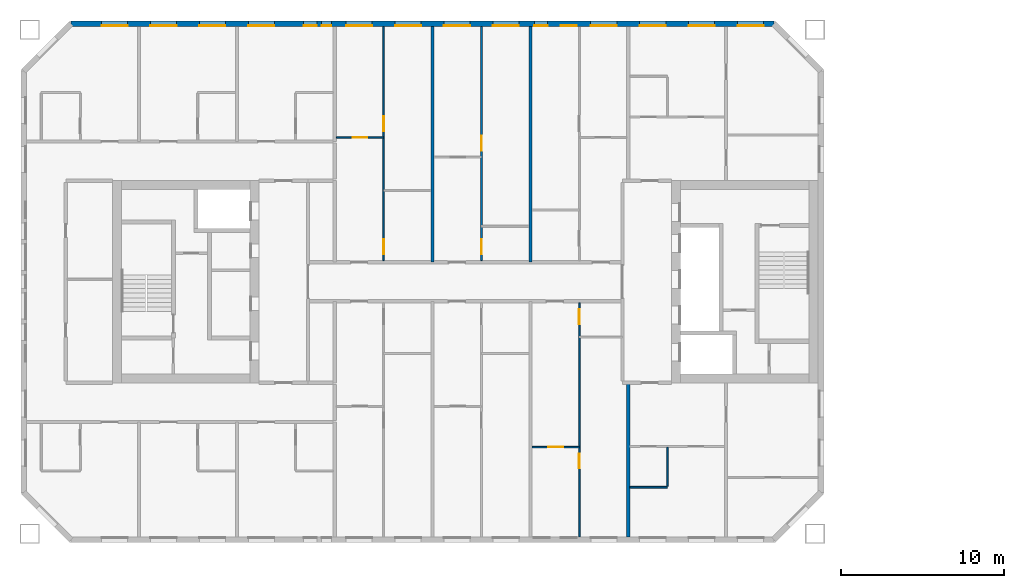
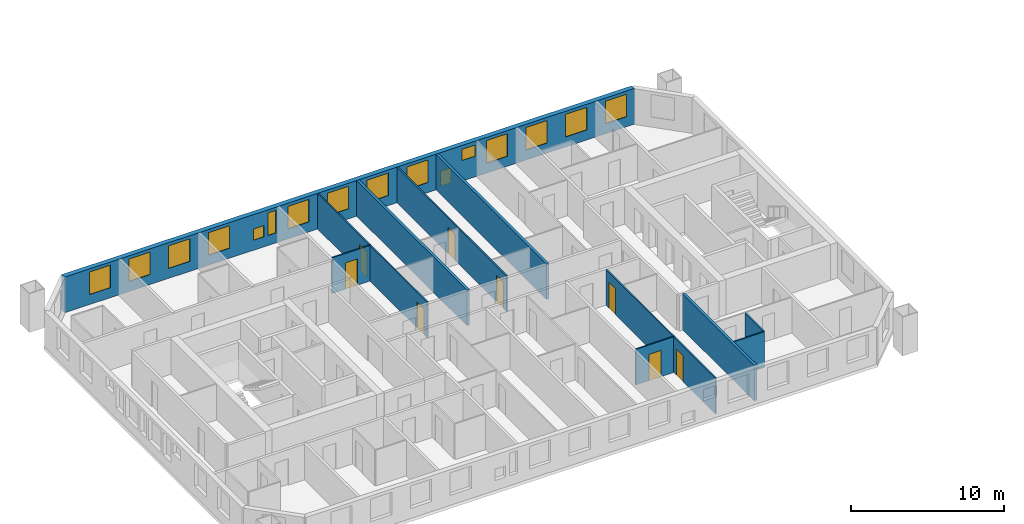
# One storey, part 6 of 16: 16 windows, 11 walls, 8 doors, 24 openings.
"""IFC4 building model written with IfcOpenShell, lengths in metres."""

import ifcopenshell
import ifcopenshell.guid

model = None  # the IFC model being written
_history = None  # IfcOwnerHistory: only IFC2X3 demands one
_inside = {}  # id of a spatial element -> (the spatial element, [elements in it])
_under = {}  # id of a project, library or spatial element -> (it, [spatial elements below it])
_declared = {}  # id of a project -> (the project, [libraries it declares])
_typed = {}  # id of a type object -> (the type object, [elements of that type])
_made_of = {}  # id of a material, layer set ... -> (it, [elements and type objects made of it])


def new_model(schema):
    """Start an empty IFC model of exactly this schema.

    Asked for "IFC4X3", IfcOpenShell would pick the latest addendum, in which some entities
    have other attributes; the version numbers below select the first issue.
    IFC2X3 requires an IfcOwnerHistory on every rooted entity: one is made here for all.
    """
    global model, _history
    if schema == "IFC4X3":
        model = ifcopenshell.file(schema_version=(4, 3, 0, 0))
    else:
        model = ifcopenshell.file(schema=schema)
    _inside.clear()
    _under.clear()
    _declared.clear()
    _typed.clear()
    _made_of.clear()
    _history = None
    if model.schema == "IFC2X3":
        org = make("IfcOrganization", Name="unknown")
        user = make(
            "IfcPersonAndOrganization",
            ThePerson=make("IfcPerson", FamilyName="unknown"),
            TheOrganization=org,
        )
        app = make(
            "IfcApplication",
            ApplicationDeveloper=org,
            Version="unknown",
            ApplicationFullName="unknown",
            ApplicationIdentifier="unknown",
        )
        _history = make(
            "IfcOwnerHistory",
            OwningUser=user,
            OwningApplication=app,
            ChangeAction="ADDED",
            CreationDate=0,
        )
    return model


def make(cls, **values):
    """One entity of the class cls with the attributes given. An attribute that is None is left unset."""
    return model.create_entity(
        cls, **{name: value for name, value in values.items() if value is not None}
    )


def rooted(cls, **values):
    """An entity with a GlobalId (a new one), such as an element, a storey or a relation."""
    return make(cls, GlobalId=ifcopenshell.guid.new(), OwnerHistory=_history, **values)


def si_unit(unit_type, name, prefix=None):
    """IfcSIUnit, for example si_unit("LENGTHUNIT", "METRE", prefix="MILLI")."""
    return make("IfcSIUnit", UnitType=unit_type, Prefix=prefix, Name=name)


def assignment(units):
    """IfcUnitAssignment: the units of a project."""
    return None if units is None else make("IfcUnitAssignment", Units=units)


def point(xyz):
    """IfcCartesianPoint."""
    return None if xyz is None else make("IfcCartesianPoint", Coordinates=xyz)


def direction(xyz):
    """IfcDirection."""
    return None if xyz is None else make("IfcDirection", DirectionRatios=xyz)


def frame(location, z_axis=None, x_axis=None):
    """IfcAxis2Placement3D, a coordinate frame: its origin and axes. An axis left out is left unset."""
    return make(
        "IfcAxis2Placement3D",
        Location=point(location),
        Axis=direction(z_axis),
        RefDirection=direction(x_axis),
    )


def frame_2d(location, x_axis=None):
    """IfcAxis2Placement2D, a coordinate frame in the plane: its origin and x axis."""
    return make(
        "IfcAxis2Placement2D", Location=point(location), RefDirection=direction(x_axis)
    )


def origin():
    """The frame at (0, 0, 0) with its axes left unset."""
    return frame((0.0, 0.0, 0.0))


def place(relative_to, where):
    """IfcLocalPlacement: puts the frame where relative to a parent placement (None: the world)."""
    return make(
        "IfcLocalPlacement", PlacementRelTo=relative_to, RelativePlacement=where
    )


def context(
    kind, dimensions, precision=None, world=None, true_north=None, identifier=None
):
    """IfcGeometricRepresentationContext, for example the 3D "Model" context."""
    return make(
        "IfcGeometricRepresentationContext",
        ContextIdentifier=identifier,
        ContextType=kind,
        CoordinateSpaceDimension=dimensions,
        Precision=precision,
        WorldCoordinateSystem=world,
        TrueNorth=true_north,
    )


def subcontext(parent, identifier, kind, view, scale=None):
    """IfcGeometricRepresentationSubContext, for example "Body" below "Model"."""
    return make(
        "IfcGeometricRepresentationSubContext",
        ContextIdentifier=identifier,
        ContextType=kind,
        ParentContext=parent,
        TargetScale=scale,
        TargetView=view,
    )


def project(units=None, contexts=None):
    """IfcProject with its units and contexts."""
    return rooted(
        "IfcProject",
        Name="project",
        RepresentationContexts=contexts,
        UnitsInContext=assignment(units),
    )


def spatial(cls, under=None, at=None, **own):
    """A site, building, storey or space (cls), placed at a placement, below another one or the project."""
    s = rooted(cls, ObjectPlacement=at, **own)
    if under is not None:
        _under.setdefault(under.id(), (under, []))[1].append(s)
    return s


def profile(cls, at=None, kind="AREA", **sizes):
    """A parametric profile (cls). Its sizes go by their IFC names, for example OverallWidth=200.0."""
    return make(cls, ProfileType=kind, Position=at, **sizes)


def rectangle(**sizes):
    """IfcRectangleProfileDef."""
    return profile("IfcRectangleProfileDef", **sizes)


def extrude(swept, where, along, depth):
    """IfcExtrudedAreaSolid: the profile swept, set in the frame where, extruded along a direction by depth."""
    return make(
        "IfcExtrudedAreaSolid",
        SweptArea=swept,
        Position=where,
        ExtrudedDirection=direction(along),
        Depth=depth,
    )


def shape(context_of_items, identifier, shape_type, items):
    """IfcShapeRepresentation: the items that make up one representation, for example the "Body"."""
    return make(
        "IfcShapeRepresentation",
        ContextOfItems=context_of_items,
        RepresentationIdentifier=identifier,
        RepresentationType=shape_type,
        Items=items,
    )


def material(Name=None, Category=None):
    """IfcMaterial."""
    return make("IfcMaterial", Name=Name, Category=Category)


def layer(
    of_material, thickness, ventilated=None, Name=None, Category=None, Priority=None
):
    """IfcMaterialLayer: one layer of a wall or slab, of a material (None: an air gap)."""
    return make(
        "IfcMaterialLayer",
        Material=of_material,
        LayerThickness=thickness,
        IsVentilated=ventilated,
        Name=Name,
        Category=Category,
        Priority=Priority,
    )


def layer_set(layers, Name=None):
    """IfcMaterialLayerSet."""
    return make("IfcMaterialLayerSet", MaterialLayers=layers, LayerSetName=Name)


def made_of(thing, what):
    """Note that an element or type object is made of a material, layer set ...; save() writes the relation."""
    if what is not None:
        _made_of.setdefault(what.id(), (what, []))[1].append(thing)
    return thing


def type_object(cls, material=None, **own):
    """A type object (cls), such as IfcWallType, which elements share."""
    return made_of(rooted(cls, **own), material)


def element(
    cls,
    number,
    at=None,
    inside=None,
    cuts=None,
    type_object=None,
    material=None,
    context=None,
    identifier="Body",
    shape_type=None,
    held_by="IfcProductDefinitionShape",
    body=None,
    shapes=None,
    **own,
):
    """One element of the class cls, such as IfcWall. Its Tag is "e" and its number.

    at: its placement. inside: the storey or other place that contains it. cuts: it is an
    opening in that element (IfcRelVoidsElement). A single representation is given by context,
    identifier, shape_type and body (its items); several are given by shapes. held_by: the class
    of the entity that holds the representations. save() writes the other relations.
    """
    e = rooted(cls, Tag="e%d" % number, ObjectPlacement=at, **own)
    if body is not None:
        shapes = [shape(context, identifier, shape_type, body)]
    if shapes is not None:
        e.Representation = make(held_by, Representations=shapes)
    if inside is not None:
        _inside.setdefault(inside.id(), (inside, []))[1].append(e)
    if cuts is not None:
        rooted(
            "IfcRelVoidsElement", RelatingBuildingElement=cuts, RelatedOpeningElement=e
        )
    if type_object is not None:
        _typed.setdefault(type_object.id(), (type_object, []))[1].append(e)
    return made_of(e, material)


def fill(opening, filler):
    """IfcRelFillsElement: the door or window that sits in an opening."""
    return rooted(
        "IfcRelFillsElement",
        RelatingOpeningElement=opening,
        RelatedBuildingElement=filler,
    )


def aggregate(whole, parts):
    """IfcRelAggregates: a whole, such as a stair, and the parts it consists of."""
    return rooted("IfcRelAggregates", RelatingObject=whole, RelatedObjects=parts)


def save(model, path):
    """Write the relations noted so far, then the file.

    IfcRelAggregates (storeys below a building ...), IfcRelContainedInSpatialStructure (elements
    in a storey), IfcRelDefinesByType, IfcRelAssociatesMaterial and IfcRelDeclares: one each for
    every whole, place, type object, material and project.
    """
    for whole, parts in _under.values():
        aggregate(whole, parts)
    for where, things in _inside.values():
        rooted(
            "IfcRelContainedInSpatialStructure",
            RelatedElements=things,
            RelatingStructure=where,
        )
    for kind, things in _typed.values():
        rooted("IfcRelDefinesByType", RelatedObjects=things, RelatingType=kind)
    for what, things in _made_of.values():
        rooted("IfcRelAssociatesMaterial", RelatedObjects=things, RelatingMaterial=what)
    for by, libraries in _declared.values():
        rooted("IfcRelDeclares", RelatingContext=by, RelatedDefinitions=libraries)
    model.write(path)


model = new_model("IFC4")

# Units and contexts
model_context = context("Model", 3, precision=1e-05, world=origin(), true_north=direction((0.0, 1.0)))
body_context = subcontext(model_context, "Body", "Model", "MODEL_VIEW")
ifc_project = project(units=[si_unit("LENGTHUNIT", "METRE"), si_unit("AREAUNIT", "SQUARE_METRE"), si_unit("VOLUMEUNIT", "CUBIC_METRE"), si_unit("PLANEANGLEUNIT", "RADIAN"), si_unit("MASSUNIT", "GRAM", prefix="KILO")], contexts=[model_context])

# Site, building, storey
site_placement = place(None, origin())
site = spatial("IfcSite", under=ifc_project, at=site_placement, CompositionType="ELEMENT")
building_placement = place(site_placement, origin())
building = spatial("IfcBuilding", under=site, at=building_placement, Name="Tuart Gate Housing", CompositionType="ELEMENT")
storey_placement = place(building_placement, frame((0.0, 0.0, 133.0)))
storey = spatial("IfcBuildingStorey", under=building, at=storey_placement, Name="L37", CompositionType="ELEMENT", Elevation=133.0)

# Wall, openings, windows
ifc_material_1 = material(Name="Brick", Category="masonry")
ifc_layer_1 = layer(ifc_material_1, 0.360107421875)
ifc_layer_set_1 = layer_set([ifc_layer_1], Name="Brick pier and spandrel wall 360")
wall_type_1 = type_object("IfcWallType", Name="Brick pier and spandrel wall 360", PredefinedType="STANDARD", material=ifc_layer_set_1)
wall_1_placement = place(storey_placement, frame((72.92529296875, 85.820068359375, 0.0), z_axis=(0.0, 0.0, 1.0), x_axis=(-1.0, 0.0, 0.0)))
wall_1 = element("IfcWall", 1, at=wall_1_placement, inside=storey, type_object=wall_type_1, Name="External wall A-N L37", PredefinedType="STANDARD", context=body_context, shape_type="SweptSolid", body=[
    extrude(rectangle(XDim=43.100830078125, YDim=0.360107421875, at=frame_2d((21.55029296875, 0.0))), origin(), (0.0, 0.0, 1.0), 2.85009765625),
])
opening_1_placement = place(wall_1_placement, frame((0.62548828125, 0.0, 0.800048828125)))
opening_1 = element("IfcOpeningElement", 2, at=opening_1_placement, cuts=wall_1, Name="Opening W1", PredefinedType="OPENING", context=body_context, shape_type="SweptSolid", body=[
    extrude(rectangle(XDim=1.60009765625, YDim=1.800048828125, at=frame_2d((0.800048828125, 0.89990234375))), frame((0.0, 0.18994140625, 0.0), z_axis=(0.0, -1.0, 0.0), x_axis=(1.0, 0.0, 0.0)), (0.0, 0.0, 1.0), 0.380126953125),
])
opening_2_placement = place(wall_1_placement, frame((3.62548828125, 0.0, 0.800048828125)))
opening_2 = element("IfcOpeningElement", 3, at=opening_2_placement, cuts=wall_1, Name="Opening W1", PredefinedType="OPENING", context=body_context, shape_type="SweptSolid", body=[
    extrude(rectangle(XDim=1.60009765625, YDim=1.800048828125, at=frame_2d((0.800048828125, 0.89990234375))), frame((0.0, 0.18994140625, 0.0), z_axis=(0.0, -1.0, 0.0), x_axis=(1.0, 0.0, 0.0)), (0.0, 0.0, 1.0), 0.380126953125),
])
opening_3_placement = place(wall_1_placement, frame((6.62548828125, 0.0, 0.800048828125)))
opening_3 = element("IfcOpeningElement", 4, at=opening_3_placement, cuts=wall_1, Name="Opening W1", PredefinedType="OPENING", context=body_context, shape_type="SweptSolid", body=[
    extrude(rectangle(XDim=1.60009765625, YDim=1.800048828125, at=frame_2d((0.800048828125, 0.89990234375))), frame((0.0, 0.18994140625, 0.0), z_axis=(0.0, -1.0, 0.0), x_axis=(1.0, 0.0, 0.0)), (0.0, 0.0, 1.0), 0.380126953125),
])
opening_4_placement = place(wall_1_placement, frame((9.62548828125, 0.0, 0.800048828125)))
opening_4 = element("IfcOpeningElement", 5, at=opening_4_placement, cuts=wall_1, Name="Opening W1", PredefinedType="OPENING", context=body_context, shape_type="SweptSolid", body=[
    extrude(rectangle(XDim=1.60009765625, YDim=1.800048828125, at=frame_2d((0.800048828125, 0.89990234375))), frame((0.0, 0.18994140625, 0.0), z_axis=(0.0, -1.0, 0.0), x_axis=(1.0, 0.0, 0.0)), (0.0, 0.0, 1.0), 0.380126953125),
])
opening_5_placement = place(wall_1_placement, frame((12.075439453125, 0.0, 1.64990234375)))
opening_5 = element("IfcOpeningElement", 6, at=opening_5_placement, cuts=wall_1, Name="Opening W1U", PredefinedType="OPENING", context=body_context, shape_type="SweptSolid", body=[
    extrude(rectangle(XDim=1.0, YDim=0.89990234375, at=frame_2d((0.5, 0.449951171875))), frame((0.0, 0.18994140625, 0.0), z_axis=(0.0, -1.0, 0.0), x_axis=(1.0, 0.0, 0.0)), (0.0, 0.0, 1.0), 0.380126953125),
])
opening_6_placement = place(wall_1_placement, frame((15.62548828125, 0.0, 0.800048828125)))
opening_6 = element("IfcOpeningElement", 7, at=opening_6_placement, cuts=wall_1, Name="Opening W1", PredefinedType="OPENING", context=body_context, shape_type="SweptSolid", body=[
    extrude(rectangle(XDim=1.60009765625, YDim=1.800048828125, at=frame_2d((0.800048828125, 0.89990234375))), frame((0.0, 0.18994140625, 0.0), z_axis=(0.0, -1.0, 0.0), x_axis=(1.0, 0.0, 0.0)), (0.0, 0.0, 1.0), 0.380126953125),
])
opening_7_placement = place(wall_1_placement, frame((18.62548828125, 0.0, 0.800048828125)))
opening_7 = element("IfcOpeningElement", 8, at=opening_7_placement, cuts=wall_1, Name="Opening W1", PredefinedType="OPENING", context=body_context, shape_type="SweptSolid", body=[
    extrude(rectangle(XDim=1.60009765625, YDim=1.800048828125, at=frame_2d((0.800048828125, 0.89990234375))), frame((0.0, 0.18994140625, 0.0), z_axis=(0.0, -1.0, 0.0), x_axis=(1.0, 0.0, 0.0)), (0.0, 0.0, 1.0), 0.380126953125),
])
opening_8_placement = place(wall_1_placement, frame((21.62548828125, 0.0, 0.800048828125)))
opening_8 = element("IfcOpeningElement", 9, at=opening_8_placement, cuts=wall_1, Name="Opening W1", PredefinedType="OPENING", context=body_context, shape_type="SweptSolid", body=[
    extrude(rectangle(XDim=1.60009765625, YDim=1.800048828125, at=frame_2d((0.800048828125, 0.89990234375))), frame((0.0, 0.18994140625, 0.0), z_axis=(0.0, -1.0, 0.0), x_axis=(1.0, 0.0, 0.0)), (0.0, 0.0, 1.0), 0.380126953125),
])
opening_9_placement = place(wall_1_placement, frame((24.62548828125, 0.0, 0.800048828125)))
opening_9 = element("IfcOpeningElement", 10, at=opening_9_placement, cuts=wall_1, Name="Opening W1", PredefinedType="OPENING", context=body_context, shape_type="SweptSolid", body=[
    extrude(rectangle(XDim=1.60009765625, YDim=1.800048828125, at=frame_2d((0.800048828125, 0.89990234375))), frame((0.0, 0.18994140625, 0.0), z_axis=(0.0, -1.0, 0.0), x_axis=(1.0, 0.0, 0.0)), (0.0, 0.0, 1.0), 0.380126953125),
])
opening_10_placement = place(wall_1_placement, frame((27.12548828125, 0.0, 0.800048828125)))
opening_10 = element("IfcOpeningElement", 11, at=opening_10_placement, cuts=wall_1, Name="Opening W1E", PredefinedType="OPENING", context=body_context, shape_type="SweptSolid", body=[
    extrude(rectangle(XDim=0.60009765625, YDim=1.800048828125, at=frame_2d((0.300048828125, 0.89990234375))), frame((0.0, 0.18994140625, 0.0), z_axis=(0.0, -1.0, 0.0), x_axis=(1.0, 0.0, 0.0)), (0.0, 0.0, 1.0), 0.380126953125),
])
opening_11_placement = place(wall_1_placement, frame((30.62548828125, 0.0, 0.800048828125)))
opening_11 = element("IfcOpeningElement", 12, at=opening_11_placement, cuts=wall_1, Name="Opening W1", PredefinedType="OPENING", context=body_context, shape_type="SweptSolid", body=[
    extrude(rectangle(XDim=1.60009765625, YDim=1.800048828125, at=frame_2d((0.800048828125, 0.89990234375))), frame((0.0, 0.18994140625, 0.0), z_axis=(0.0, -1.0, 0.0), x_axis=(1.0, 0.0, 0.0)), (0.0, 0.0, 1.0), 0.380126953125),
])
opening_12_placement = place(wall_1_placement, frame((33.62548828125, 0.0, 0.800048828125)))
opening_12 = element("IfcOpeningElement", 13, at=opening_12_placement, cuts=wall_1, Name="Opening W1", PredefinedType="OPENING", context=body_context, shape_type="SweptSolid", body=[
    extrude(rectangle(XDim=1.60009765625, YDim=1.800048828125, at=frame_2d((0.800048828125, 0.89990234375))), frame((0.0, 0.18994140625, 0.0), z_axis=(0.0, -1.0, 0.0), x_axis=(1.0, 0.0, 0.0)), (0.0, 0.0, 1.0), 0.380126953125),
])
opening_13_placement = place(wall_1_placement, frame((36.62548828125, 0.0, 0.800048828125)))
opening_13 = element("IfcOpeningElement", 14, at=opening_13_placement, cuts=wall_1, Name="Opening W1", PredefinedType="OPENING", context=body_context, shape_type="SweptSolid", body=[
    extrude(rectangle(XDim=1.60009765625, YDim=1.800048828125, at=frame_2d((0.800048828125, 0.89990234375))), frame((0.0, 0.18994140625, 0.0), z_axis=(0.0, -1.0, 0.0), x_axis=(1.0, 0.0, 0.0)), (0.0, 0.0, 1.0), 0.380126953125),
])
opening_14_placement = place(wall_1_placement, frame((39.62548828125, 0.0, 0.800048828125)))
opening_14 = element("IfcOpeningElement", 15, at=opening_14_placement, cuts=wall_1, Name="Opening W1", PredefinedType="OPENING", context=body_context, shape_type="SweptSolid", body=[
    extrude(rectangle(XDim=1.60009765625, YDim=1.800048828125, at=frame_2d((0.800048828125, 0.89990234375))), frame((0.0, 0.18994140625, 0.0), z_axis=(0.0, -1.0, 0.0), x_axis=(1.0, 0.0, 0.0)), (0.0, 0.0, 1.0), 0.380126953125),
])
opening_15_placement = place(wall_1_placement, frame((13.87548828125, 0.0, 0.14990234375)))
opening_15 = element("IfcOpeningElement", 16, at=opening_15_placement, cuts=wall_1, Name="Opening W1P", PredefinedType="OPENING", context=body_context, shape_type="SweptSolid", body=[
    extrude(rectangle(XDim=0.800048828125, YDim=1.199951171875, at=frame_2d((0.39990234375, 0.60009765625))), frame((0.0, 0.18994140625, 0.0), z_axis=(0.0, -1.0, 0.0), x_axis=(1.0, 0.0, 0.0)), (0.0, 0.0, 1.0), 0.380126953125),
])
opening_16_placement = place(wall_1_placement, frame((28.025390625, 0.0, 0.800048828125)))
opening_16 = element("IfcOpeningElement", 17, at=opening_16_placement, cuts=wall_1, Name="Opening W1V", PredefinedType="OPENING", context=body_context, shape_type="SweptSolid", body=[
    extrude(rectangle(XDim=0.800048828125, YDim=0.89990234375, at=frame_2d((0.39990234375, 0.449951171875))), frame((0.0, 0.18994140625, 0.0), z_axis=(0.0, -1.0, 0.0), x_axis=(1.0, 0.0, 0.0)), (0.0, 0.0, 1.0), 0.380126953125),
])
ifc_material_2 = material(Name="Aluminium frame with clear glass", Category="aluminium")
window_type_1 = type_object("IfcWindowType", Name="Punched window 1000 x 900", PartitioningType="SINGLE_PANEL", PredefinedType="WINDOW", material=ifc_material_2)
window_1_placement = place(opening_5_placement, origin())
window_1 = element("IfcWindow", 18, at=window_1_placement, inside=storey, type_object=window_type_1, Name="Window W1U", OverallHeight=0.89990234375, OverallWidth=1.0, PartitioningType="SINGLE_PANEL", PredefinedType="WINDOW", context=body_context, shape_type="SweptSolid", body=[
    extrude(rectangle(XDim=1.0, YDim=0.89990234375, at=frame_2d((0.5, 0.449951171875))), frame((0.0, 0.150146484375, 0.0), z_axis=(0.0, -1.0, 0.0), x_axis=(1.0, 0.0, 0.0)), (0.0, 0.0, 1.0), 0.06005859375),
])
fill(opening_5, window_1)
ifc_material_3 = material(Name="Aluminium frame with clear glass", Category="aluminium")
window_type_2 = type_object("IfcWindowType", Name="Punched window 1600 x 1800", PartitioningType="SINGLE_PANEL", PredefinedType="WINDOW", material=ifc_material_3)
window_2_placement = place(opening_1_placement, origin())
window_2 = element("IfcWindow", 19, at=window_2_placement, inside=storey, type_object=window_type_2, Name="Window W1", OverallHeight=1.800048828125, OverallWidth=1.60009765625, PartitioningType="SINGLE_PANEL", PredefinedType="WINDOW", context=body_context, shape_type="SweptSolid", body=[
    extrude(rectangle(XDim=1.60009765625, YDim=1.800048828125, at=frame_2d((0.800048828125, 0.89990234375))), frame((0.0, 0.150146484375, 0.0), z_axis=(0.0, -1.0, 0.0), x_axis=(1.0, 0.0, 0.0)), (0.0, 0.0, 1.0), 0.06005859375),
])
fill(opening_1, window_2)
window_3_placement = place(opening_2_placement, origin())
window_3 = element("IfcWindow", 20, at=window_3_placement, inside=storey, type_object=window_type_2, Name="Window W1", OverallHeight=1.800048828125, OverallWidth=1.60009765625, PartitioningType="SINGLE_PANEL", PredefinedType="WINDOW", context=body_context, shape_type="SweptSolid", body=[
    extrude(rectangle(XDim=1.60009765625, YDim=1.800048828125, at=frame_2d((0.800048828125, 0.89990234375))), frame((0.0, 0.150146484375, 0.0), z_axis=(0.0, -1.0, 0.0), x_axis=(1.0, 0.0, 0.0)), (0.0, 0.0, 1.0), 0.06005859375),
])
fill(opening_2, window_3)
window_4_placement = place(opening_3_placement, origin())
window_4 = element("IfcWindow", 21, at=window_4_placement, inside=storey, type_object=window_type_2, Name="Window W1", OverallHeight=1.800048828125, OverallWidth=1.60009765625, PartitioningType="SINGLE_PANEL", PredefinedType="WINDOW", context=body_context, shape_type="SweptSolid", body=[
    extrude(rectangle(XDim=1.60009765625, YDim=1.800048828125, at=frame_2d((0.800048828125, 0.89990234375))), frame((0.0, 0.150146484375, 0.0), z_axis=(0.0, -1.0, 0.0), x_axis=(1.0, 0.0, 0.0)), (0.0, 0.0, 1.0), 0.06005859375),
])
fill(opening_3, window_4)
window_5_placement = place(opening_4_placement, origin())
window_5 = element("IfcWindow", 22, at=window_5_placement, inside=storey, type_object=window_type_2, Name="Window W1", OverallHeight=1.800048828125, OverallWidth=1.60009765625, PartitioningType="SINGLE_PANEL", PredefinedType="WINDOW", context=body_context, shape_type="SweptSolid", body=[
    extrude(rectangle(XDim=1.60009765625, YDim=1.800048828125, at=frame_2d((0.800048828125, 0.89990234375))), frame((0.0, 0.150146484375, 0.0), z_axis=(0.0, -1.0, 0.0), x_axis=(1.0, 0.0, 0.0)), (0.0, 0.0, 1.0), 0.06005859375),
])
fill(opening_4, window_5)
window_6_placement = place(opening_6_placement, origin())
window_6 = element("IfcWindow", 23, at=window_6_placement, inside=storey, type_object=window_type_2, Name="Window W1", OverallHeight=1.800048828125, OverallWidth=1.60009765625, PartitioningType="SINGLE_PANEL", PredefinedType="WINDOW", context=body_context, shape_type="SweptSolid", body=[
    extrude(rectangle(XDim=1.60009765625, YDim=1.800048828125, at=frame_2d((0.800048828125, 0.89990234375))), frame((0.0, 0.150146484375, 0.0), z_axis=(0.0, -1.0, 0.0), x_axis=(1.0, 0.0, 0.0)), (0.0, 0.0, 1.0), 0.06005859375),
])
fill(opening_6, window_6)
window_7_placement = place(opening_7_placement, origin())
window_7 = element("IfcWindow", 24, at=window_7_placement, inside=storey, type_object=window_type_2, Name="Window W1", OverallHeight=1.800048828125, OverallWidth=1.60009765625, PartitioningType="SINGLE_PANEL", PredefinedType="WINDOW", context=body_context, shape_type="SweptSolid", body=[
    extrude(rectangle(XDim=1.60009765625, YDim=1.800048828125, at=frame_2d((0.800048828125, 0.89990234375))), frame((0.0, 0.150146484375, 0.0), z_axis=(0.0, -1.0, 0.0), x_axis=(1.0, 0.0, 0.0)), (0.0, 0.0, 1.0), 0.06005859375),
])
fill(opening_7, window_7)
window_8_placement = place(opening_8_placement, origin())
window_8 = element("IfcWindow", 25, at=window_8_placement, inside=storey, type_object=window_type_2, Name="Window W1", OverallHeight=1.800048828125, OverallWidth=1.60009765625, PartitioningType="SINGLE_PANEL", PredefinedType="WINDOW", context=body_context, shape_type="SweptSolid", body=[
    extrude(rectangle(XDim=1.60009765625, YDim=1.800048828125, at=frame_2d((0.800048828125, 0.89990234375))), frame((0.0, 0.150146484375, 0.0), z_axis=(0.0, -1.0, 0.0), x_axis=(1.0, 0.0, 0.0)), (0.0, 0.0, 1.0), 0.06005859375),
])
fill(opening_8, window_8)
window_9_placement = place(opening_9_placement, origin())
window_9 = element("IfcWindow", 26, at=window_9_placement, inside=storey, type_object=window_type_2, Name="Window W1", OverallHeight=1.800048828125, OverallWidth=1.60009765625, PartitioningType="SINGLE_PANEL", PredefinedType="WINDOW", context=body_context, shape_type="SweptSolid", body=[
    extrude(rectangle(XDim=1.60009765625, YDim=1.800048828125, at=frame_2d((0.800048828125, 0.89990234375))), frame((0.0, 0.150146484375, 0.0), z_axis=(0.0, -1.0, 0.0), x_axis=(1.0, 0.0, 0.0)), (0.0, 0.0, 1.0), 0.06005859375),
])
fill(opening_9, window_9)
window_10_placement = place(opening_11_placement, origin())
window_10 = element("IfcWindow", 27, at=window_10_placement, inside=storey, type_object=window_type_2, Name="Window W1", OverallHeight=1.800048828125, OverallWidth=1.60009765625, PartitioningType="SINGLE_PANEL", PredefinedType="WINDOW", context=body_context, shape_type="SweptSolid", body=[
    extrude(rectangle(XDim=1.60009765625, YDim=1.800048828125, at=frame_2d((0.800048828125, 0.89990234375))), frame((0.0, 0.150146484375, 0.0), z_axis=(0.0, -1.0, 0.0), x_axis=(1.0, 0.0, 0.0)), (0.0, 0.0, 1.0), 0.06005859375),
])
fill(opening_11, window_10)
window_11_placement = place(opening_12_placement, origin())
window_11 = element("IfcWindow", 28, at=window_11_placement, inside=storey, type_object=window_type_2, Name="Window W1", OverallHeight=1.800048828125, OverallWidth=1.60009765625, PartitioningType="SINGLE_PANEL", PredefinedType="WINDOW", context=body_context, shape_type="SweptSolid", body=[
    extrude(rectangle(XDim=1.60009765625, YDim=1.800048828125, at=frame_2d((0.800048828125, 0.89990234375))), frame((0.0, 0.150146484375, 0.0), z_axis=(0.0, -1.0, 0.0), x_axis=(1.0, 0.0, 0.0)), (0.0, 0.0, 1.0), 0.06005859375),
])
fill(opening_12, window_11)
window_12_placement = place(opening_13_placement, origin())
window_12 = element("IfcWindow", 29, at=window_12_placement, inside=storey, type_object=window_type_2, Name="Window W1", OverallHeight=1.800048828125, OverallWidth=1.60009765625, PartitioningType="SINGLE_PANEL", PredefinedType="WINDOW", context=body_context, shape_type="SweptSolid", body=[
    extrude(rectangle(XDim=1.60009765625, YDim=1.800048828125, at=frame_2d((0.800048828125, 0.89990234375))), frame((0.0, 0.150146484375, 0.0), z_axis=(0.0, -1.0, 0.0), x_axis=(1.0, 0.0, 0.0)), (0.0, 0.0, 1.0), 0.06005859375),
])
fill(opening_13, window_12)
window_13_placement = place(opening_14_placement, origin())
window_13 = element("IfcWindow", 30, at=window_13_placement, inside=storey, type_object=window_type_2, Name="Window W1", OverallHeight=1.800048828125, OverallWidth=1.60009765625, PartitioningType="SINGLE_PANEL", PredefinedType="WINDOW", context=body_context, shape_type="SweptSolid", body=[
    extrude(rectangle(XDim=1.60009765625, YDim=1.800048828125, at=frame_2d((0.800048828125, 0.89990234375))), frame((0.0, 0.150146484375, 0.0), z_axis=(0.0, -1.0, 0.0), x_axis=(1.0, 0.0, 0.0)), (0.0, 0.0, 1.0), 0.06005859375),
])
fill(opening_14, window_13)
ifc_material_4 = material(Name="Aluminium frame with clear glass", Category="aluminium")
window_type_3 = type_object("IfcWindowType", Name="Punched window 600 x 1800", PartitioningType="SINGLE_PANEL", PredefinedType="WINDOW", material=ifc_material_4)
window_14_placement = place(opening_10_placement, origin())
window_14 = element("IfcWindow", 31, at=window_14_placement, inside=storey, type_object=window_type_3, Name="Window W1E", OverallHeight=1.800048828125, OverallWidth=0.60009765625, PartitioningType="SINGLE_PANEL", PredefinedType="WINDOW", context=body_context, shape_type="SweptSolid", body=[
    extrude(rectangle(XDim=0.60009765625, YDim=1.800048828125, at=frame_2d((0.300048828125, 0.89990234375))), frame((0.0, 0.150146484375, 0.0), z_axis=(0.0, -1.0, 0.0), x_axis=(1.0, 0.0, 0.0)), (0.0, 0.0, 1.0), 0.06005859375),
])
fill(opening_10, window_14)
ifc_material_5 = material(Name="Aluminium frame with clear glass", Category="aluminium")
window_type_4 = type_object("IfcWindowType", Name="Punched window 800 x 1200", PartitioningType="SINGLE_PANEL", PredefinedType="WINDOW", material=ifc_material_5)
window_15_placement = place(opening_15_placement, origin())
window_15 = element("IfcWindow", 32, at=window_15_placement, inside=storey, type_object=window_type_4, Name="Window W1P", OverallHeight=1.199951171875, OverallWidth=0.800048828125, PartitioningType="SINGLE_PANEL", PredefinedType="WINDOW", context=body_context, shape_type="SweptSolid", body=[
    extrude(rectangle(XDim=0.800048828125, YDim=1.199951171875, at=frame_2d((0.39990234375, 0.60009765625))), frame((0.0, 0.150146484375, 0.0), z_axis=(0.0, -1.0, 0.0), x_axis=(1.0, 0.0, 0.0)), (0.0, 0.0, 1.0), 0.06005859375),
])
fill(opening_15, window_15)
ifc_material_6 = material(Name="Aluminium frame with clear glass", Category="aluminium")
window_type_5 = type_object("IfcWindowType", Name="Punched window 800 x 900", PartitioningType="SINGLE_PANEL", PredefinedType="WINDOW", material=ifc_material_6)
window_16_placement = place(opening_16_placement, origin())
window_16 = element("IfcWindow", 33, at=window_16_placement, inside=storey, type_object=window_type_5, Name="Window W1V", OverallHeight=0.89990234375, OverallWidth=0.800048828125, PartitioningType="SINGLE_PANEL", PredefinedType="WINDOW", context=body_context, shape_type="SweptSolid", body=[
    extrude(rectangle(XDim=0.800048828125, YDim=0.89990234375, at=frame_2d((0.39990234375, 0.449951171875))), frame((0.0, 0.150146484375, 0.0), z_axis=(0.0, -1.0, 0.0), x_axis=(1.0, 0.0, 0.0)), (0.0, 0.0, 1.0), 0.06005859375),
])
fill(opening_16, window_16)

# Wall
ifc_material_7 = material(Name="Gypsum board on steel studs", Category="steel")
ifc_layer_2 = layer(ifc_material_7, 0.10009765625)
ifc_layer_set_2 = layer_set([ifc_layer_2], Name="Partition 100")
wall_type_2 = type_object("IfcWallType", Name="Partition 100", PredefinedType="PARTITIONING", material=ifc_layer_set_2)
wall_2_placement = place(storey_placement, frame((64.10009765625, 57.39990234375, 0.0), z_axis=(0.0, 0.0, 1.0), x_axis=(1.0, 0.0, 0.0)))
element("IfcWall", 34, at=wall_2_placement, inside=storey, type_object=wall_type_2, Name="Partition 100", PredefinedType="PARTITIONING", context=body_context, shape_type="SweptSolid", body=[
    extrude(rectangle(XDim=2.2998046875, YDim=0.10009765625, at=frame_2d((1.14990234375, 0.0))), origin(), (0.0, 0.0, 1.0), 2.85009765625),
])

# Wall, opening, door
wall_3_placement = place(storey_placement, frame((58.10009765625, 59.860107421875, 0.0), z_axis=(0.0, 0.0, 1.0), x_axis=(1.0, 0.0, 0.0)))
wall_3 = element("IfcWall", 35, at=wall_3_placement, inside=storey, type_object=wall_type_2, Name="Partition 100", PredefinedType="PARTITIONING", context=body_context, shape_type="SweptSolid", body=[
    extrude(rectangle(XDim=2.89990234375, YDim=0.10009765625, at=frame_2d((1.449951171875, 0.0))), origin(), (0.0, 0.0, 1.0), 2.85009765625),
])
opening_17_placement = place(wall_3_placement, frame((1.0, 0.0, 0.0)))
opening_17 = element("IfcOpeningElement", 36, at=opening_17_placement, cuts=wall_3, Name="Opening D1461", PredefinedType="OPENING", context=body_context, shape_type="SweptSolid", body=[
    extrude(rectangle(XDim=0.89990234375, YDim=2.10009765625, at=frame_2d((0.449951171875, 1.050048828125))), frame((0.0, 0.06005859375, 0.0), z_axis=(0.0, -1.0, 0.0), x_axis=(1.0, 0.0, 0.0)), (0.0, 0.0, 1.0), 0.1201171875),
])
ifc_material_8 = material(Name="Timber door leaf in steel frame", Category="steel")
door_type_1 = type_object("IfcDoorType", Name="Internal door 900 RH", OperationType="SINGLE_SWING_RIGHT", PredefinedType="DOOR", material=ifc_material_8)
door_1_placement = place(opening_17_placement, origin())
door_1 = element("IfcDoor", 37, at=door_1_placement, inside=storey, type_object=door_type_1, Name="Internal door", OperationType="SINGLE_SWING_RIGHT", OverallHeight=2.10009765625, OverallWidth=0.89990234375, PredefinedType="DOOR", context=body_context, shape_type="SweptSolid", body=[
    extrude(rectangle(XDim=0.89990234375, YDim=2.10009765625, at=frame_2d((0.449951171875, 1.050048828125))), frame((0.0, 0.02490234375, 0.0), z_axis=(0.0, -1.0, 0.0), x_axis=(1.0, 0.0, 0.0)), (0.0, 0.0, 1.0), 0.050048828125),
])
fill(opening_17, door_1)

wall_4_placement = place(storey_placement, frame((46.10009765625, 78.840087890625, 0.0), z_axis=(0.0, 0.0, 1.0), x_axis=(1.0, 0.0, 0.0)))
wall_4 = element("IfcWall", 38, at=wall_4_placement, inside=storey, type_object=wall_type_2, Name="Partition 100", PredefinedType="PARTITIONING", context=body_context, shape_type="SweptSolid", body=[
    extrude(rectangle(XDim=2.89990234375, YDim=0.10009765625, at=frame_2d((1.449951171875, 0.0))), origin(), (0.0, 0.0, 1.0), 2.85009765625),
])
opening_18_placement = place(wall_4_placement, frame((1.0, 0.0, 0.0)))
opening_18 = element("IfcOpeningElement", 39, at=opening_18_placement, cuts=wall_4, Name="Opening D1409", PredefinedType="OPENING", context=body_context, shape_type="SweptSolid", body=[
    extrude(rectangle(XDim=0.89990234375, YDim=2.10009765625, at=frame_2d((0.449951171875, 1.050048828125))), frame((0.0, 0.06005859375, 0.0), z_axis=(0.0, -1.0, 0.0), x_axis=(1.0, 0.0, 0.0)), (0.0, 0.0, 1.0), 0.1201171875),
])
ifc_material_9 = material(Name="Timber door leaf in steel frame", Category="steel")
door_type_2 = type_object("IfcDoorType", Name="Internal door 900", OperationType="SINGLE_SWING_LEFT", PredefinedType="DOOR", material=ifc_material_9)
door_2_placement = place(opening_18_placement, frame((0.89990234375, 0.0, 0.0), z_axis=(0.0, 0.0, 1.0), x_axis=(-1.0, 0.0, 0.0)))
door_2 = element("IfcDoor", 40, at=door_2_placement, inside=storey, type_object=door_type_2, Name="Internal door", OperationType="SINGLE_SWING_LEFT", OverallHeight=2.10009765625, OverallWidth=0.89990234375, PredefinedType="DOOR", context=body_context, shape_type="SweptSolid", body=[
    extrude(rectangle(XDim=0.89990234375, YDim=2.10009765625, at=frame_2d((0.449951171875, 1.050048828125))), frame((0.0, 0.025146484375, 0.0), z_axis=(0.0, -1.0, 0.0), x_axis=(1.0, 0.0, 0.0)), (0.0, 0.0, 1.0), 0.050048828125),
])
fill(opening_18, door_2)

# Wall, openings, doors
wall_5_placement = place(storey_placement, frame((49.0, 71.300048828125, 0.0), z_axis=(0.0, 0.0, 1.0), x_axis=(0.0, 1.0, 0.0)))
wall_5 = element("IfcWall", 41, at=wall_5_placement, inside=storey, type_object=wall_type_2, Name="Partition 100", PredefinedType="PARTITIONING", context=body_context, shape_type="SweptSolid", body=[
    extrude(rectangle(XDim=14.33984375, YDim=0.10009765625, at=frame_2d((7.169921875, 0.0))), origin(), (0.0, 0.0, 1.0), 2.85009765625),
])
opening_19_placement = place(wall_5_placement, frame((7.93994140625, 0.0, 0.0)))
opening_19 = element("IfcOpeningElement", 42, at=opening_19_placement, cuts=wall_5, Name="Opening D1415", PredefinedType="OPENING", context=body_context, shape_type="SweptSolid", body=[
    extrude(rectangle(XDim=0.89990234375, YDim=2.10009765625, at=frame_2d((0.449951171875, 1.050048828125))), frame((0.0, 0.06005859375, 0.0), z_axis=(0.0, -1.0, 0.0), x_axis=(1.0, 0.0, 0.0)), (0.0, 0.0, 1.0), 0.1201171875),
])
opening_20_placement = place(wall_5_placement, frame((0.39990234375, 0.0, 0.0)))
opening_20 = element("IfcOpeningElement", 43, at=opening_20_placement, cuts=wall_5, Name="Opening D1414", PredefinedType="OPENING", context=body_context, shape_type="SweptSolid", body=[
    extrude(rectangle(XDim=0.89990234375, YDim=2.10009765625, at=frame_2d((0.449951171875, 1.050048828125))), frame((0.0, 0.06005859375, 0.0), z_axis=(0.0, -1.0, 0.0), x_axis=(1.0, 0.0, 0.0)), (0.0, 0.0, 1.0), 0.1201171875),
])
ifc_material_10 = material(Name="Timber door leaf in steel frame", Category="steel")
door_type_3 = type_object("IfcDoorType", Name="Bathroom door 900 RH", OperationType="SINGLE_SWING_RIGHT", PredefinedType="DOOR", material=ifc_material_10)
door_3_placement = place(opening_20_placement, frame((0.89990234375, 0.0, 0.0), z_axis=(0.0, 0.0, 1.0), x_axis=(-1.0, 0.0, 0.0)))
door_3 = element("IfcDoor", 44, at=door_3_placement, inside=storey, type_object=door_type_3, Name="Bathroom door", OperationType="SINGLE_SWING_RIGHT", OverallHeight=2.10009765625, OverallWidth=0.89990234375, PredefinedType="DOOR", context=body_context, shape_type="SweptSolid", body=[
    extrude(rectangle(XDim=0.89990234375, YDim=2.10009765625, at=frame_2d((0.449951171875, 1.050048828125))), frame((0.0, 0.025146484375, 0.0), z_axis=(0.0, -1.0, 0.0), x_axis=(1.0, 0.0, 0.0)), (0.0, 0.0, 1.0), 0.050048828125),
])
fill(opening_20, door_3)
door_4_placement = place(opening_19_placement, frame((0.89990234375, 0.0, 0.0), z_axis=(0.0, 0.0, 1.0), x_axis=(-1.0, 0.0, 0.0)))
door_4 = element("IfcDoor", 45, at=door_4_placement, inside=storey, type_object=door_type_1, Name="Internal door", OperationType="SINGLE_SWING_RIGHT", OverallHeight=2.10009765625, OverallWidth=0.89990234375, PredefinedType="DOOR", context=body_context, shape_type="SweptSolid", body=[
    extrude(rectangle(XDim=0.89990234375, YDim=2.10009765625, at=frame_2d((0.449951171875, 1.050048828125))), frame((0.0, 0.025146484375, 0.0), z_axis=(0.0, -1.0, 0.0), x_axis=(1.0, 0.0, 0.0)), (0.0, 0.0, 1.0), 0.050048828125),
])
fill(opening_19, door_4)

wall_6_placement = place(storey_placement, frame((55.0, 71.300048828125, 0.0), z_axis=(0.0, 0.0, 1.0), x_axis=(0.0, 1.0, 0.0)))
wall_6 = element("IfcWall", 46, at=wall_6_placement, inside=storey, type_object=wall_type_2, Name="Partition 100", PredefinedType="PARTITIONING", context=body_context, shape_type="SweptSolid", body=[
    extrude(rectangle(XDim=14.33984375, YDim=0.10009765625, at=frame_2d((7.169921875, 0.0))), origin(), (0.0, 0.0, 1.0), 2.85009765625),
])
opening_21_placement = place(wall_6_placement, frame((6.739990234375, 0.0, 0.0)))
opening_21 = element("IfcOpeningElement", 47, at=opening_21_placement, cuts=wall_6, Name="Opening D1417", PredefinedType="OPENING", context=body_context, shape_type="SweptSolid", body=[
    extrude(rectangle(XDim=0.89990234375, YDim=2.10009765625, at=frame_2d((0.449951171875, 1.050048828125))), frame((0.0, 0.06005859375, 0.0), z_axis=(0.0, -1.0, 0.0), x_axis=(1.0, 0.0, 0.0)), (0.0, 0.0, 1.0), 0.1201171875),
])
opening_22_placement = place(wall_6_placement, frame((0.39990234375, 0.0, 0.0)))
opening_22 = element("IfcOpeningElement", 48, at=opening_22_placement, cuts=wall_6, Name="Opening D1416", PredefinedType="OPENING", context=body_context, shape_type="SweptSolid", body=[
    extrude(rectangle(XDim=0.89990234375, YDim=2.10009765625, at=frame_2d((0.449951171875, 1.050048828125))), frame((0.0, 0.06005859375, 0.0), z_axis=(0.0, -1.0, 0.0), x_axis=(1.0, 0.0, 0.0)), (0.0, 0.0, 1.0), 0.1201171875),
])
door_5_placement = place(opening_22_placement, frame((0.89990234375, 0.0, 0.0), z_axis=(0.0, 0.0, 1.0), x_axis=(-1.0, 0.0, 0.0)))
door_5 = element("IfcDoor", 49, at=door_5_placement, inside=storey, type_object=door_type_3, Name="Bathroom door", OperationType="SINGLE_SWING_RIGHT", OverallHeight=2.10009765625, OverallWidth=0.89990234375, PredefinedType="DOOR", context=body_context, shape_type="SweptSolid", body=[
    extrude(rectangle(XDim=0.89990234375, YDim=2.10009765625, at=frame_2d((0.449951171875, 1.050048828125))), frame((0.0, 0.025146484375, 0.0), z_axis=(0.0, -1.0, 0.0), x_axis=(1.0, 0.0, 0.0)), (0.0, 0.0, 1.0), 0.050048828125),
])
fill(opening_22, door_5)
door_6_placement = place(opening_21_placement, frame((0.89990234375, 0.0, 0.0), z_axis=(0.0, 0.0, 1.0), x_axis=(-1.0, 0.0, 0.0)))
door_6 = element("IfcDoor", 50, at=door_6_placement, inside=storey, type_object=door_type_1, Name="Internal door", OperationType="SINGLE_SWING_RIGHT", OverallHeight=2.10009765625, OverallWidth=0.89990234375, PredefinedType="DOOR", context=body_context, shape_type="SweptSolid", body=[
    extrude(rectangle(XDim=0.89990234375, YDim=2.10009765625, at=frame_2d((0.449951171875, 1.050048828125))), frame((0.0, 0.025146484375, 0.0), z_axis=(0.0, -1.0, 0.0), x_axis=(1.0, 0.0, 0.0)), (0.0, 0.0, 1.0), 0.050048828125),
])
fill(opening_21, door_6)

wall_7_placement = place(storey_placement, frame((61.0, 54.360107421875, 0.0), z_axis=(0.0, 0.0, 1.0), x_axis=(0.0, 1.0, 0.0)))
wall_7 = element("IfcWall", 51, at=wall_7_placement, inside=storey, type_object=wall_type_2, Name="Partition 100", PredefinedType="PARTITIONING", context=body_context, shape_type="SweptSolid", body=[
    extrude(rectangle(XDim=14.33984375, YDim=0.10009765625, at=frame_2d((7.169921875, 0.0))), origin(), (0.0, 0.0, 1.0), 2.85009765625),
])
opening_23_placement = place(wall_7_placement, frame((4.199951171875, 0.0, 0.0)))
opening_23 = element("IfcOpeningElement", 52, at=opening_23_placement, cuts=wall_7, Name="Opening D1452", PredefinedType="OPENING", context=body_context, shape_type="SweptSolid", body=[
    extrude(rectangle(XDim=0.89990234375, YDim=2.10009765625, at=frame_2d((0.449951171875, 1.050048828125))), frame((0.0, 0.06005859375, 0.0), z_axis=(0.0, -1.0, 0.0), x_axis=(1.0, 0.0, 0.0)), (0.0, 0.0, 1.0), 0.1201171875),
])
opening_24_placement = place(wall_7_placement, frame((13.0400390625, 0.0, 0.0)))
opening_24 = element("IfcOpeningElement", 53, at=opening_24_placement, cuts=wall_7, Name="Opening D1451", PredefinedType="OPENING", context=body_context, shape_type="SweptSolid", body=[
    extrude(rectangle(XDim=0.89990234375, YDim=2.10009765625, at=frame_2d((0.449951171875, 1.050048828125))), frame((0.0, 0.06005859375, 0.0), z_axis=(0.0, -1.0, 0.0), x_axis=(1.0, 0.0, 0.0)), (0.0, 0.0, 1.0), 0.1201171875),
])
ifc_material_11 = material(Name="Timber door leaf in steel frame", Category="steel")
door_type_4 = type_object("IfcDoorType", Name="Bathroom door 900", OperationType="SINGLE_SWING_LEFT", PredefinedType="DOOR", material=ifc_material_11)
door_7_placement = place(opening_24_placement, frame((0.89990234375, 0.0, 0.0), z_axis=(0.0, 0.0, 1.0), x_axis=(-1.0, 0.0, 0.0)))
door_7 = element("IfcDoor", 54, at=door_7_placement, inside=storey, type_object=door_type_4, Name="Bathroom door", OperationType="SINGLE_SWING_LEFT", OverallHeight=2.10009765625, OverallWidth=0.89990234375, PredefinedType="DOOR", context=body_context, shape_type="SweptSolid", body=[
    extrude(rectangle(XDim=0.89990234375, YDim=2.10009765625, at=frame_2d((0.449951171875, 1.050048828125))), frame((0.0, 0.025146484375, 0.0), z_axis=(0.0, -1.0, 0.0), x_axis=(1.0, 0.0, 0.0)), (0.0, 0.0, 1.0), 0.050048828125),
])
fill(opening_24, door_7)
door_8_placement = place(opening_23_placement, frame((0.89990234375, 0.0, 0.0), z_axis=(0.0, 0.0, 1.0), x_axis=(-1.0, 0.0, 0.0)))
door_8 = element("IfcDoor", 55, at=door_8_placement, inside=storey, type_object=door_type_1, Name="Internal door", OperationType="SINGLE_SWING_RIGHT", OverallHeight=2.10009765625, OverallWidth=0.89990234375, PredefinedType="DOOR", context=body_context, shape_type="SweptSolid", body=[
    extrude(rectangle(XDim=0.89990234375, YDim=2.10009765625, at=frame_2d((0.449951171875, 1.050048828125))), frame((0.0, 0.025146484375, 0.0), z_axis=(0.0, -1.0, 0.0), x_axis=(1.0, 0.0, 0.0)), (0.0, 0.0, 1.0), 0.050048828125),
])
fill(opening_23, door_8)

# Walls
wall_8_placement = place(storey_placement, frame((66.39990234375, 57.449951171875, 0.0), z_axis=(0.0, 0.0, 1.0), x_axis=(0.0, 1.0, 0.0)))
element("IfcWall", 56, at=wall_8_placement, inside=storey, type_object=wall_type_2, Name="Partition 100", PredefinedType="PARTITIONING", context=body_context, shape_type="SweptSolid", body=[
    extrude(rectangle(XDim=2.400146484375, YDim=0.10009765625, at=frame_2d((1.2001953125, 0.0))), origin(), (0.0, 0.0, 1.0), 2.85009765625),
])
ifc_material_12 = material(Name="Concrete C40", Category="concrete")
ifc_layer_3 = layer(ifc_material_12, 0.199951171875)
ifc_layer_set_3 = layer_set([ifc_layer_3], Name="Party wall concrete C40 200")
wall_type_3 = type_object("IfcWallType", Name="Party wall concrete C40 200", PredefinedType="SOLIDWALL", material=ifc_layer_set_3)
for number, where, z_axis, x_axis, name in (
    (57, (52.0, 71.199951171875, 0.0), (0.0, 0.0, 1.0), (0.0, 1.0, 0.0), "Party wall concrete C40 200"),
    (58, (58.0, 71.199951171875, 0.0), (0.0, 0.0, 1.0), (0.0, 1.0, 0.0), "Party wall concrete C40 200"),
):
    element("IfcWall", number, at=place(storey_placement, frame(where, z_axis=z_axis, x_axis=x_axis)), inside=storey, type_object=wall_type_3, Name=name, PredefinedType="SOLIDWALL", context=body_context, shape_type="SweptSolid", body=[
        extrude(rectangle(XDim=14.43994140625, YDim=0.199951171875, at=frame_2d((7.219970703125, 0.0))), origin(), (0.0, 0.0, 1.0), 2.85009765625),
    ])
wall_9_placement = place(storey_placement, frame((64.0, 54.360107421875, 0.0), z_axis=(0.0, 0.0, 1.0), x_axis=(0.0, 1.0, 0.0)))
element("IfcWall", 59, at=wall_9_placement, inside=storey, type_object=wall_type_3, Name="Party wall concrete C40 200", PredefinedType="SOLIDWALL", context=body_context, shape_type="SweptSolid", body=[
    extrude(rectangle(XDim=9.43994140625, YDim=0.199951171875, at=frame_2d((4.719970703125, 0.0))), origin(), (0.0, 0.0, 1.0), 2.85009765625),
])

save(model, "model.ifc")
